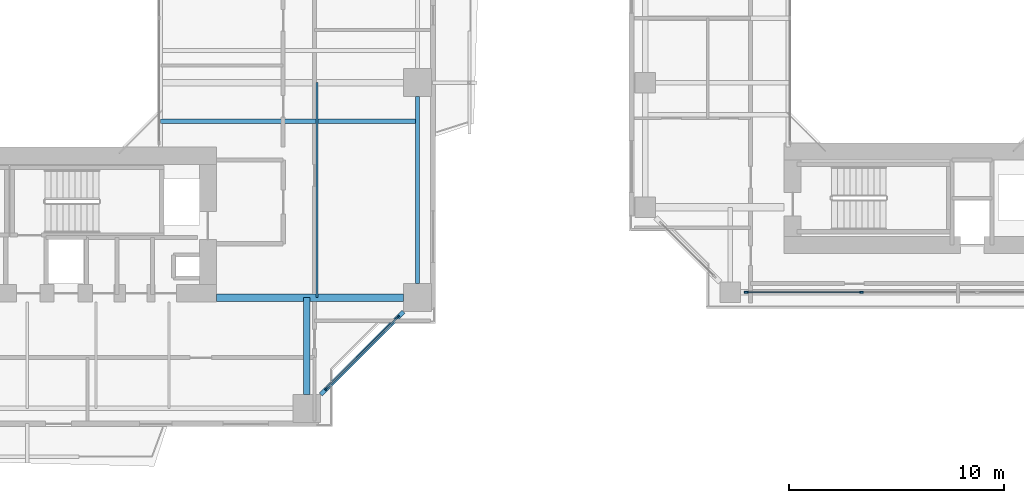
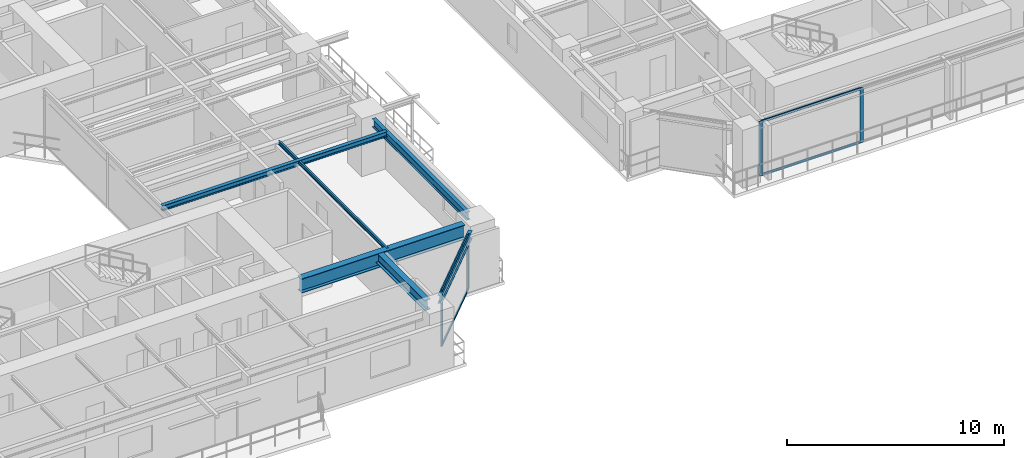
# One storey, part 5 of 24: 8 members, 6 beams, 2 elements without a shape of their own.
"""IFC4 building model written with IfcOpenShell, lengths in metres."""

from ifc_helpers import new_model, si_unit, direction, frame, origin, origin_2d, place, context, subcontext, project, spatial, rectangle, i_section, extrude, source, transform, mapped, material, layer, layer_set, material_profile, profile_set, type_object, element, aggregate, save


model = new_model("IFC4")

# Units and contexts
model_context = context("Model", 3, precision=1e-05, world=origin(), true_north=direction((0.0, 1.0)))
body_context = subcontext(model_context, "Body", "Model", "MODEL_VIEW")
ifc_project = project(units=[si_unit("LENGTHUNIT", "METRE"), si_unit("AREAUNIT", "SQUARE_METRE"), si_unit("VOLUMEUNIT", "CUBIC_METRE"), si_unit("PLANEANGLEUNIT", "RADIAN"), si_unit("MASSUNIT", "GRAM", prefix="KILO"), si_unit("THERMODYNAMICTEMPERATUREUNIT", "KELVIN"), si_unit("POWERUNIT", "WATT")], contexts=[model_context])

# Site, building, storey
site_placement = place(None, origin())
site = spatial("IfcSite", under=ifc_project, at=site_placement, CompositionType="ELEMENT")
building_placement = place(site_placement, origin())
building = spatial("IfcBuilding", under=site, at=building_placement, Name="Qiaomeng Ring Towers", CompositionType="ELEMENT")
storey_placement = place(building_placement, frame((0.0, 0.0, 63.25)))
storey = spatial("IfcBuildingStorey", under=building, at=storey_placement, Name="L17", CompositionType="ELEMENT", Elevation=63.25)

# Beams
ifc_material_1 = material(Name="Steel Q355B", Category="steel")
ifc_material_profile_1 = material_profile(ifc_material_1, i_section(OverallWidth=0.199951171875, OverallDepth=0.449951171875, WebThickness=0.009033203125, FlangeThickness=0.013916015625, FilletRadius=0.01806640625, at=origin_2d()), Name="HN 450x200x9x14")
ifc_profile_set_1 = profile_set([ifc_material_profile_1], Name="Steel Q355B")
beam_type_1 = type_object("IfcBeamType", Name="STR-BM-HN450", PredefinedType="SPANDREL", material=ifc_profile_set_1)
shared_shape_1 = source(origin(), body_context, "Body", "SweptSolid", [
    extrude(i_section(OverallWidth=0.199951171875, OverallDepth=0.449951171875, WebThickness=0.009033203125, FlangeThickness=0.013916015625, FilletRadius=0.01806640625, at=origin_2d()), origin(), (0.0, 0.0, 1.0), 5.446533203125),
])
beam_1_placement = place(storey_placement, frame((32.6494140625, 5.499267578125, 2.844970703125), z_axis=(0.707106781187, 0.707106781187, 0.0), x_axis=(-0.707106781187, 0.707106781187, 0.0)))
element("IfcBeam", 1, at=beam_1_placement, inside=storey, type_object=beam_type_1, Name="L17 beam STR-SP-L17-T1-S2-E1", PredefinedType="SPANDREL", context=body_context, shape_type="MappedRepresentation", body=[
    mapped(shared_shape_1, transform((0.0, 0.0, 0.0), x_axis=(1.0, 0.0, 0.0), y_axis=(0.0, 1.0, 0.0), z_axis=(0.0, 0.0, 1.0), scale=1.0)),
])
shared_shape_2 = source(origin(), body_context, "Body", "SweptSolid", [
    extrude(i_section(OverallWidth=0.199951171875, OverallDepth=0.449951171875, WebThickness=0.009033203125, FlangeThickness=0.013916015625, FilletRadius=0.01806640625, at=origin_2d()), origin(), (0.0, 0.0, 1.0), 8.7021484375),
])
beam_2_placement = place(storey_placement, frame((37.14990234375, 10.64892578125, 2.844970703125), z_axis=(0.0, 1.0, 0.0), x_axis=(-1.0, 0.0, 0.0)))
element("IfcBeam", 2, at=beam_2_placement, inside=storey, type_object=beam_type_1, Name="L17 beam STR-SP-L17-T1-E1-E2", PredefinedType="SPANDREL", context=body_context, shape_type="MappedRepresentation", body=[
    mapped(shared_shape_2, transform((0.0, 0.0, 0.0), x_axis=(1.0, 0.0, 0.0), y_axis=(0.0, 1.0, 0.0), z_axis=(0.0, 0.0, 1.0), scale=1.0)),
])
ifc_material_2 = material(Name="Steel Q390GJC", Category="steel")
ifc_material_profile_2 = material_profile(ifc_material_2, i_section(OverallWidth=0.35009765625, OverallDepth=0.800048828125, WebThickness=0.01611328125, FlangeThickness=0.028076171875, at=origin_2d()), Name="WH 800x350x16x28")
ifc_profile_set_2 = profile_set([ifc_material_profile_2], Name="Steel Q390GJC")
beam_type_2 = type_object("IfcBeamType", Name="STR-BM-WH800", PredefinedType="BEAM", material=ifc_profile_set_2)
shared_shape_3 = source(origin(), body_context, "Body", "SweptSolid", [
    extrude(i_section(OverallWidth=0.35009765625, OverallDepth=0.800048828125, WebThickness=0.01611328125, FlangeThickness=0.028076171875, at=origin_2d()), origin(), (0.0, 0.0, 1.0), 8.700927734375),
])
beam_3_placement = place(storey_placement, frame((27.800048828125, 10.0, 2.669921875), z_axis=(1.0, 0.0, 0.0), x_axis=(0.0, 1.0, 0.0)))
element("IfcBeam", 3, at=beam_3_placement, inside=storey, type_object=beam_type_2, Name="L17 beam STR-BM-L17-T1-RAD-E1", PredefinedType="BEAM", context=body_context, shape_type="MappedRepresentation", body=[
    mapped(shared_shape_3, transform((0.0, 0.0, 0.0), x_axis=(1.0, 0.0, 0.0), y_axis=(0.0, 1.0, 0.0), z_axis=(0.0, 0.0, 1.0), scale=1.0)),
])
ifc_material_profile_3 = material_profile(ifc_material_1, i_section(OverallWidth=0.300048828125, OverallDepth=0.587890625, WebThickness=0.011962890625, FlangeThickness=0.02001953125, FilletRadius=0.028076171875, at=origin_2d()), Name="HM 588x300x12x20")
ifc_profile_set_3 = profile_set([ifc_material_profile_3], Name="Steel Q355B")
beam_type_3 = type_object("IfcBeamType", Name="STR-BM-HM588", PredefinedType="BEAM", material=ifc_profile_set_3)
shared_shape_4 = source(origin(), body_context, "Body", "SweptSolid", [
    extrude(i_section(OverallWidth=0.300048828125, OverallDepth=0.587890625, WebThickness=0.011962890625, FlangeThickness=0.02001953125, FilletRadius=0.028076171875, at=origin_2d()), origin(), (0.0, 0.0, 1.0), 4.5009765625),
])
beam_4_placement = place(storey_placement, frame((32.0, 5.4990234375, 2.77587890625), z_axis=(0.0, 1.0, 0.0), x_axis=(-1.0, 0.0, 0.0)))
element("IfcBeam", 4, at=beam_4_placement, inside=storey, type_object=beam_type_3, Name="L17 beam STR-BM-L17-T1-RAD-S2", PredefinedType="BEAM", context=body_context, shape_type="MappedRepresentation", body=[
    mapped(shared_shape_4, transform((0.0, 0.0, 0.0), x_axis=(1.0, 0.0, 0.0), y_axis=(0.0, 1.0, 0.0), z_axis=(0.0, 0.0, 1.0), scale=1.0)),
])
ifc_material_profile_4 = material_profile(ifc_material_1, i_section(OverallWidth=0.199951171875, OverallDepth=0.2939453125, WebThickness=0.008056640625, FlangeThickness=0.011962890625, FilletRadius=0.01806640625, at=origin_2d()), Name="HM 294x200x8x12")
ifc_profile_set_4 = profile_set([ifc_material_profile_4], Name="Steel Q355B")
beam_type_4 = type_object("IfcBeamType", Name="STR-BM-HM294", PredefinedType="JOIST", material=ifc_profile_set_4)
shared_shape_5 = source(origin(), body_context, "Body", "SweptSolid", [
    extrude(i_section(OverallWidth=0.199951171875, OverallDepth=0.2939453125, WebThickness=0.008056640625, FlangeThickness=0.011962890625, FilletRadius=0.01806640625, at=origin_2d()), origin(), (0.0, 0.0, 1.0), 11.949951171875),
])
beam_5_placement = place(storey_placement, frame((25.199951171875, 18.199951171875, 2.923095703125), z_axis=(1.0, 0.0, 0.0), x_axis=(0.0, 1.0, 0.0)))
element("IfcBeam", 5, at=beam_5_placement, inside=storey, type_object=beam_type_4, Name="L17 beam STR-JST-L17-T1E-1", PredefinedType="JOIST", context=body_context, shape_type="MappedRepresentation", body=[
    mapped(shared_shape_5, transform((0.0, 0.0, 0.0), x_axis=(1.0, 0.0, 0.0), y_axis=(0.0, 1.0, 0.0), z_axis=(0.0, 0.0, 1.0), scale=1.0)),
])
ifc_material_profile_5 = material_profile(ifc_material_1, i_section(OverallWidth=0.10009765625, OverallDepth=0.199951171875, WebThickness=0.005615234375, FlangeThickness=0.008056640625, FilletRadius=0.010986328125, at=origin_2d()), Name="HN 200x100x5.5x8")
ifc_profile_set_5 = profile_set([ifc_material_profile_5], Name="Steel Q355B")
beam_type_5 = type_object("IfcBeamType", Name="STR-BM-HN200", PredefinedType="JOIST", material=ifc_profile_set_5)
shared_shape_6 = source(origin(), body_context, "Body", "SweptSolid", [
    extrude(i_section(OverallWidth=0.10009765625, OverallDepth=0.199951171875, WebThickness=0.005615234375, FlangeThickness=0.008056640625, FilletRadius=0.010986328125, at=origin_2d()), origin(), (0.0, 0.0, 1.0), 10.0),
])
beam_6_placement = place(storey_placement, frame((32.47509765625, 10.0, 2.969970703125), z_axis=(0.0, 1.0, 0.0), x_axis=(-1.0, 0.0, 0.0)))
element("IfcBeam", 6, at=beam_6_placement, inside=storey, type_object=beam_type_5, Name="L17 beam STR-JST-L17-T1C-ES", PredefinedType="JOIST", context=body_context, shape_type="MappedRepresentation", body=[
    mapped(shared_shape_6, transform((0.0, 0.0, 0.0), x_axis=(1.0, 0.0, 0.0), y_axis=(0.0, 1.0, 0.0), z_axis=(0.0, 0.0, 1.0), scale=1.0)),
])

# Curtain wall, members
ifc_material_3 = material(Name="Fluorocarbon dark-grey aluminium", Category="aluminium")
ifc_layer_1 = layer(ifc_material_3, 0.159912109375, Name="Fluorocarbon dark-grey aluminium")
ifc_layer_set_1 = layer_set([ifc_layer_1], Name="Fluorocarbon dark-grey aluminium")
curtain_wall_type_1 = type_object("IfcCurtainWallType", Name="ARC-CW-2", PredefinedType="NOTDEFINED", material=ifc_layer_set_1)
curtain_wall_1_placement = place(storey_placement, origin())
curtain_wall_1 = element("IfcCurtainWall", 7, at=curtain_wall_1_placement, inside=storey, type_object=curtain_wall_type_1, Name="L17 Curtain Wall CW2", PredefinedType="NOTDEFINED")
ifc_material_profile_6 = material_profile(ifc_material_3, rectangle(XDim=0.070068359375, YDim=0.179931640625, at=origin_2d()), Name="ALU MULL 70x180")
ifc_profile_set_6 = profile_set([ifc_material_profile_6], Name="Fluorocarbon dark-grey aluminium")
member_type_1 = type_object("IfcMemberType", Name="ARC-CWM-160", PredefinedType="MULLION", material=ifc_profile_set_6)
shared_shape_7 = source(origin(), body_context, "Body", "SweptSolid", [
    extrude(rectangle(XDim=0.070068359375, YDim=0.179931640625, at=origin_2d()), origin(), (0.0, 0.0, 1.0), 3.070068359375),
])
member_1_placement = place(storey_placement, frame((32.914794921875, 5.7646484375, 0.0), z_axis=(0.0, 0.0, 1.0), x_axis=(-0.707106781187, 0.707106781187, 0.0)))
member_1 = element("IfcMember", 8, at=member_1_placement, type_object=member_type_1, Name="CW2 mullion 1", PredefinedType="MULLION", context=body_context, shape_type="MappedRepresentation", body=[
    mapped(shared_shape_7, transform((0.0, 0.0, 0.0), x_axis=(1.0, 0.0, 0.0), y_axis=(0.0, 1.0, 0.0), z_axis=(0.0, 0.0, 1.0), scale=1.0)),
])
member_2_placement = place(storey_placement, frame((36.2353515625, 9.085205078125, 0.0), z_axis=(0.0, 0.0, 1.0), x_axis=(-0.707106781187, 0.707106781187, 0.0)))
member_2 = element("IfcMember", 9, at=member_2_placement, type_object=member_type_1, Name="CW2 mullion 2", PredefinedType="MULLION", context=body_context, shape_type="MappedRepresentation", body=[
    mapped(shared_shape_7, transform((0.0, 0.0, 0.0), x_axis=(1.0, 0.0, 0.0), y_axis=(0.0, 1.0, 0.0), z_axis=(0.0, 0.0, 1.0), scale=1.0)),
])

ifc_layer_2 = layer(ifc_material_3, 0.14990234375, Name="Fluorocarbon dark-grey aluminium")
ifc_layer_set_2 = layer_set([ifc_layer_2], Name="Fluorocarbon dark-grey aluminium")
curtain_wall_type_2 = type_object("IfcCurtainWallType", Name="ARC-CW-5", PredefinedType="NOTDEFINED", material=ifc_layer_set_2)
curtain_wall_2_placement = place(storey_placement, origin())
curtain_wall_2 = element("IfcCurtainWall", 10, at=curtain_wall_2_placement, inside=storey, type_object=curtain_wall_type_2, Name="L17 Curtain Wall CW5", PredefinedType="NOTDEFINED")
member_3_placement = place(storey_placement, frame((52.449951171875, 10.25, 0.0), z_axis=(0.0, 0.0, 1.0), x_axis=(0.0, 1.0, 0.0)))
member_3 = element("IfcMember", 11, at=member_3_placement, type_object=member_type_1, Name="CW5 mullion 1", PredefinedType="MULLION", context=body_context, shape_type="MappedRepresentation", body=[
    mapped(shared_shape_7, transform((0.0, 0.0, 0.0), x_axis=(1.0, 0.0, 0.0), y_axis=(0.0, 1.0, 0.0), z_axis=(0.0, 0.0, 1.0), scale=1.0)),
])
member_4_placement = place(storey_placement, frame((57.804931640625, 10.25, 0.0), z_axis=(0.0, 0.0, 1.0), x_axis=(0.0, 1.0, 0.0)))
member_4 = element("IfcMember", 12, at=member_4_placement, type_object=member_type_1, Name="CW5 mullion 2", PredefinedType="MULLION", context=body_context, shape_type="MappedRepresentation", body=[
    mapped(shared_shape_7, transform((0.0, 0.0, 0.0), x_axis=(1.0, 0.0, 0.0), y_axis=(0.0, 1.0, 0.0), z_axis=(0.0, 0.0, 1.0), scale=1.0)),
])

# Member
ifc_material_profile_7 = material_profile(ifc_material_3, rectangle(XDim=0.06494140625, YDim=0.1298828125, at=origin_2d()), Name="ALU TRAN 65x130")
ifc_profile_set_7 = profile_set([ifc_material_profile_7], Name="Fluorocarbon dark-grey aluminium")
member_type_2 = type_object("IfcMemberType", Name="ARC-CWT-120", PredefinedType="USERDEFINED", material=ifc_profile_set_7)
shared_shape_8 = source(origin(), body_context, "Body", "SweptSolid", [
    extrude(rectangle(XDim=0.06494140625, YDim=0.1298828125, at=origin_2d()), origin(), (0.0, 0.0, 1.0), 4.6259765625),
])
member_5_placement = place(storey_placement, frame((32.939453125, 5.78955078125, 0.032470703125), z_axis=(0.707106781187, 0.707106781187, 0.0), x_axis=(-0.707106781187, 0.707106781187, 0.0)))
member_5 = element("IfcMember", 13, at=member_5_placement, type_object=member_type_2, Name="CW2 transom 1.1", ObjectType="TRANSOM", PredefinedType="USERDEFINED", context=body_context, shape_type="MappedRepresentation", body=[
    mapped(shared_shape_8, transform((0.0, 0.0, 0.0), x_axis=(1.0, 0.0, 0.0), y_axis=(0.0, 1.0, 0.0), z_axis=(0.0, 0.0, 1.0), scale=1.0)),
])

member_6_placement = place(storey_placement, frame((32.939453125, 5.78955078125, 3.03759765625), z_axis=(0.707106781187, 0.707106781187, 0.0), x_axis=(-0.707106781187, 0.707106781187, 0.0)))
member_6 = element("IfcMember", 14, at=member_6_placement, type_object=member_type_2, Name="CW2 transom 1.2", ObjectType="TRANSOM", PredefinedType="USERDEFINED", context=body_context, shape_type="MappedRepresentation", body=[
    mapped(shared_shape_8, transform((0.0, 0.0, 0.0), x_axis=(1.0, 0.0, 0.0), y_axis=(0.0, 1.0, 0.0), z_axis=(0.0, 0.0, 1.0), scale=1.0)),
])

aggregate(curtain_wall_1, [member_1, member_2, member_5, member_6])

shared_shape_9 = source(origin(), body_context, "Body", "SweptSolid", [
    extrude(rectangle(XDim=0.06494140625, YDim=0.1298828125, at=origin_2d()), origin(), (0.0, 0.0, 1.0), 5.284912109375),
])
member_7_placement = place(storey_placement, frame((52.485107421875, 10.25, 0.032470703125), z_axis=(1.0, 0.0, 0.0), x_axis=(0.0, 1.0, 0.0)))
member_7 = element("IfcMember", 15, at=member_7_placement, type_object=member_type_2, Name="CW5 transom 1.1", ObjectType="TRANSOM", PredefinedType="USERDEFINED", context=body_context, shape_type="MappedRepresentation", body=[
    mapped(shared_shape_9, transform((0.0, 0.0, 0.0), x_axis=(1.0, 0.0, 0.0), y_axis=(0.0, 1.0, 0.0), z_axis=(0.0, 0.0, 1.0), scale=1.0)),
])

member_8_placement = place(storey_placement, frame((52.485107421875, 10.25, 3.03759765625), z_axis=(1.0, 0.0, 0.0), x_axis=(0.0, 1.0, 0.0)))
member_8 = element("IfcMember", 16, at=member_8_placement, type_object=member_type_2, Name="CW5 transom 1.2", ObjectType="TRANSOM", PredefinedType="USERDEFINED", context=body_context, shape_type="MappedRepresentation", body=[
    mapped(shared_shape_9, transform((0.0, 0.0, 0.0), x_axis=(1.0, 0.0, 0.0), y_axis=(0.0, 1.0, 0.0), z_axis=(0.0, 0.0, 1.0), scale=1.0)),
])

aggregate(curtain_wall_2, [member_3, member_4, member_7, member_8])

save(model, "model.ifc")
